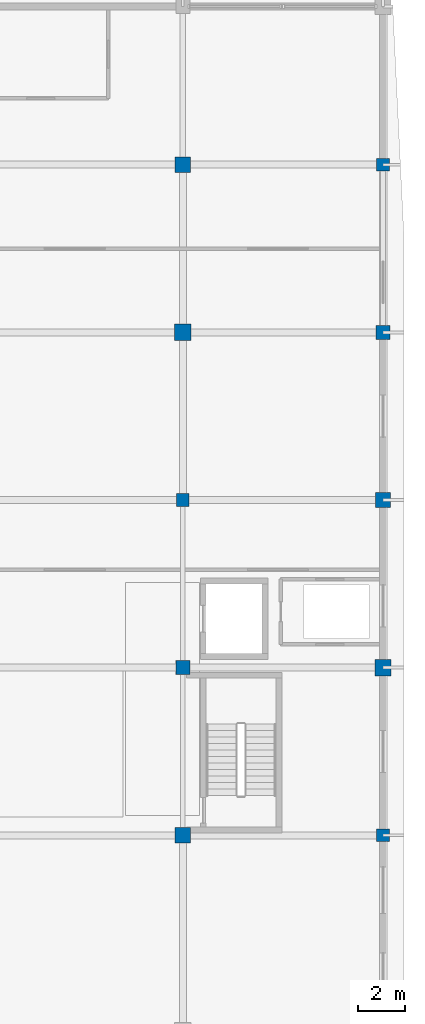
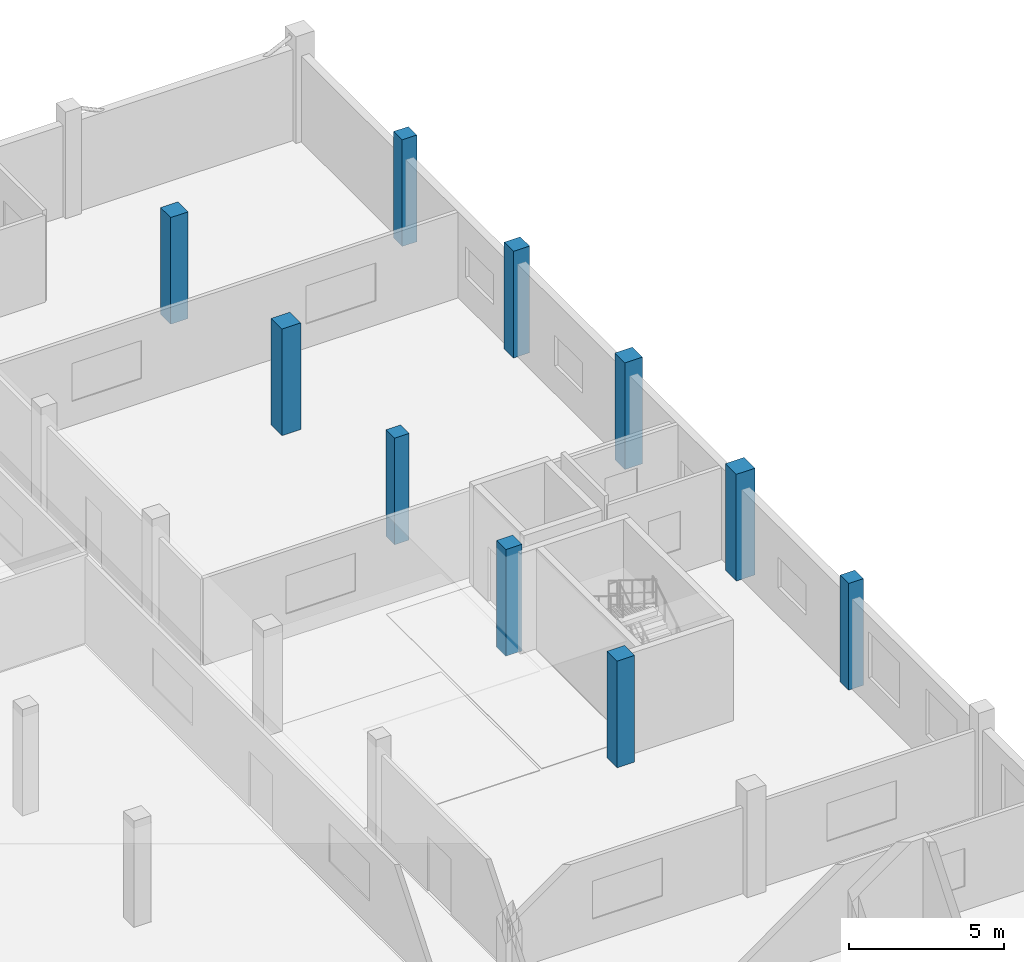
# One storey, part 26 of 121: 10 columns.
"""IFC4 building model written with IfcOpenShell, lengths in metres."""

from ifc_helpers import new_model, si_unit, direction, frame, origin, origin_2d, place, context, subcontext, project, spatial, rectangle, extrude, material, material_profile, profile_set, type_object, element, save


model = new_model("IFC4")

# Units and contexts
model_context = context("Model", 3, precision=1e-05, world=origin(), true_north=direction((0.0, 1.0)))
body_context = subcontext(model_context, "Body", "Model", "MODEL_VIEW")
ifc_project = project(units=[si_unit("LENGTHUNIT", "METRE"), si_unit("AREAUNIT", "SQUARE_METRE"), si_unit("VOLUMEUNIT", "CUBIC_METRE"), si_unit("PLANEANGLEUNIT", "RADIAN"), si_unit("MASSUNIT", "GRAM", prefix="KILO")], contexts=[model_context])

# Site, building, storey
site_placement = place(None, origin())
site = spatial("IfcSite", under=ifc_project, at=site_placement, CompositionType="ELEMENT")
building_placement = place(site_placement, origin())
building = spatial("IfcBuilding", under=site, at=building_placement, Name="Vinh Khe Railworks Police Headquarters", CompositionType="ELEMENT")
storey_placement = place(building_placement, frame((0.0, 0.0, 4.800048828125)))
storey = spatial("IfcBuildingStorey", under=building, at=storey_placement, Name="L01", CompositionType="ELEMENT", Elevation=4.800048828125)

# Columns
ifc_material = material(Name="Concrete C40/50 (B40)", Category="concrete")
ifc_material_profile_1 = material_profile(ifc_material, rectangle(XDim=0.550048828125, YDim=0.550048828125, at=origin_2d()), Name="RC 550x550")
ifc_profile_set_1 = profile_set([ifc_material_profile_1], Name="Concrete C40/50 (B40)")
column_type_1 = type_object("IfcColumnType", Name="RC Column RC 550x550", PredefinedType="COLUMN", material=ifc_profile_set_1)
for number, where, z_axis, x_axis, name in (
    (1, (105.0, 145.199951171875, 0.0), (0.0, 0.0, 1.0), (1.0, 0.0, 0.0), "Column COL-L01-CC-06-1369"),
    (2, (113.60009765625, 130.800048828125, 0.0), (0.0, 0.0, 1.0), (1.0, 0.0, 0.0), "Column COL-L01-CC-06-1416"),
    (3, (113.60009765625, 159.60009765625, 0.0), (0.0, 0.0, 1.0), (1.0, 0.0, 0.0), "Column COL-L01-CC-06-1444"),
):
    element("IfcColumn", number, at=place(storey_placement, frame(where, z_axis=z_axis, x_axis=x_axis)), inside=storey, type_object=column_type_1, Name=name, PredefinedType="COLUMN", context=body_context, shape_type="SweptSolid", body=[
        extrude(rectangle(XDim=0.550048828125, YDim=0.550048828125, at=origin_2d()), origin(), (0.0, 0.0, 1.0), 4.199951171875),
    ])
ifc_material_profile_2 = material_profile(ifc_material, rectangle(XDim=0.60009765625, YDim=0.60009765625, at=origin_2d()), Name="RC 600x600")
ifc_profile_set_2 = profile_set([ifc_material_profile_2], Name="Concrete C40/50 (B40)")
column_type_2 = type_object("IfcColumnType", Name="RC Column RC 600x600", PredefinedType="COLUMN", material=ifc_profile_set_2)
for number, where, z_axis, x_axis, name in (
    (4, (105.0, 138.0, 0.0), (0.0, 0.0, 1.0), (1.0, 0.0, 0.0), "Column COL-L01-CC-05-1362"),
    (5, (113.60009765625, 152.39990234375, 0.0), (0.0, 0.0, 1.0), (1.0, 0.0, 0.0), "Column COL-L01-CC-05-1437"),
):
    element("IfcColumn", number, at=place(storey_placement, frame(where, z_axis=z_axis, x_axis=x_axis)), inside=storey, type_object=column_type_2, Name=name, PredefinedType="COLUMN", context=body_context, shape_type="SweptSolid", body=[
        extrude(rectangle(XDim=0.60009765625, YDim=0.60009765625, at=origin_2d()), origin(), (0.0, 0.0, 1.0), 4.199951171875),
    ])
ifc_material_profile_3 = material_profile(ifc_material, rectangle(XDim=0.64990234375, YDim=0.64990234375, at=origin_2d()), Name="RC 650x650")
ifc_profile_set_3 = profile_set([ifc_material_profile_3], Name="Concrete C40/50 (B40)")
column_type_3 = type_object("IfcColumnType", Name="RC Column RC 650x650", PredefinedType="COLUMN", material=ifc_profile_set_3)
for number, where, z_axis, x_axis, name in (
    (6, (105.0, 130.800048828125, 0.0), (0.0, 0.0, 1.0), (1.0, 0.0, 0.0), "Column COL-L01-CC-04-1355"),
    (7, (105.0, 159.60009765625, 0.0), (0.0, 0.0, 1.0), (1.0, 0.0, 0.0), "Column COL-L01-CC-04-1383"),
    (8, (113.60009765625, 145.199951171875, 0.0), (0.0, 0.0, 1.0), (1.0, 0.0, 0.0), "Column COL-L01-CC-04-1430"),
):
    element("IfcColumn", number, at=place(storey_placement, frame(where, z_axis=z_axis, x_axis=x_axis)), inside=storey, type_object=column_type_3, Name=name, PredefinedType="COLUMN", context=body_context, shape_type="SweptSolid", body=[
        extrude(rectangle(XDim=0.64990234375, YDim=0.64990234375, at=origin_2d()), origin(), (0.0, 0.0, 1.0), 4.199951171875),
    ])
ifc_material_profile_4 = material_profile(ifc_material, rectangle(XDim=0.699951171875, YDim=0.699951171875, at=origin_2d()), Name="RC 700x700")
ifc_profile_set_4 = profile_set([ifc_material_profile_4], Name="Concrete C40/50 (B40)")
column_type_4 = type_object("IfcColumnType", Name="RC Column RC 700x700", PredefinedType="COLUMN", material=ifc_profile_set_4)
for number, where, z_axis, x_axis, name in (
    (9, (105.0, 152.39990234375, 0.0), (0.0, 0.0, 1.0), (1.0, 0.0, 0.0), "Column COL-L01-CC-03-1376"),
    (10, (113.60009765625, 138.0, 0.0), (0.0, 0.0, 1.0), (1.0, 0.0, 0.0), "Column COL-L01-CC-03-1423"),
):
    element("IfcColumn", number, at=place(storey_placement, frame(where, z_axis=z_axis, x_axis=x_axis)), inside=storey, type_object=column_type_4, Name=name, PredefinedType="COLUMN", context=body_context, shape_type="SweptSolid", body=[
        extrude(rectangle(XDim=0.699951171875, YDim=0.699951171875, at=origin_2d()), origin(), (0.0, 0.0, 1.0), 4.199951171875),
    ])

save(model, "model.ifc")
